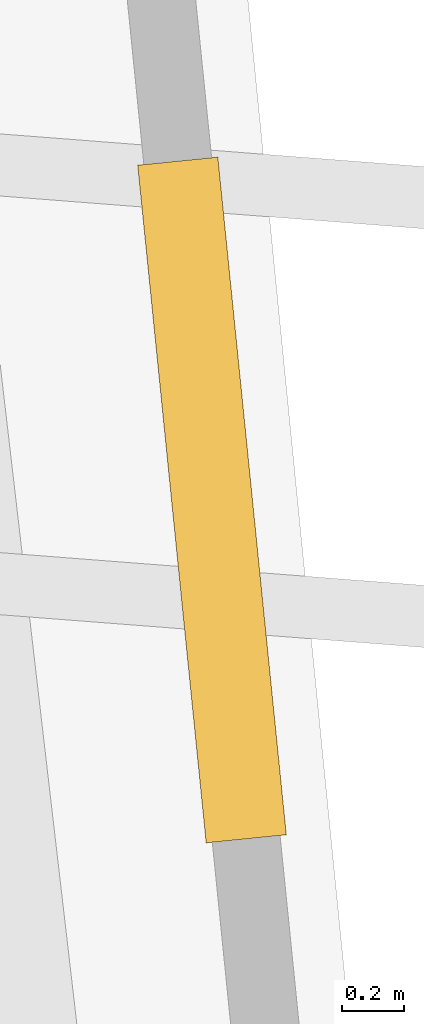
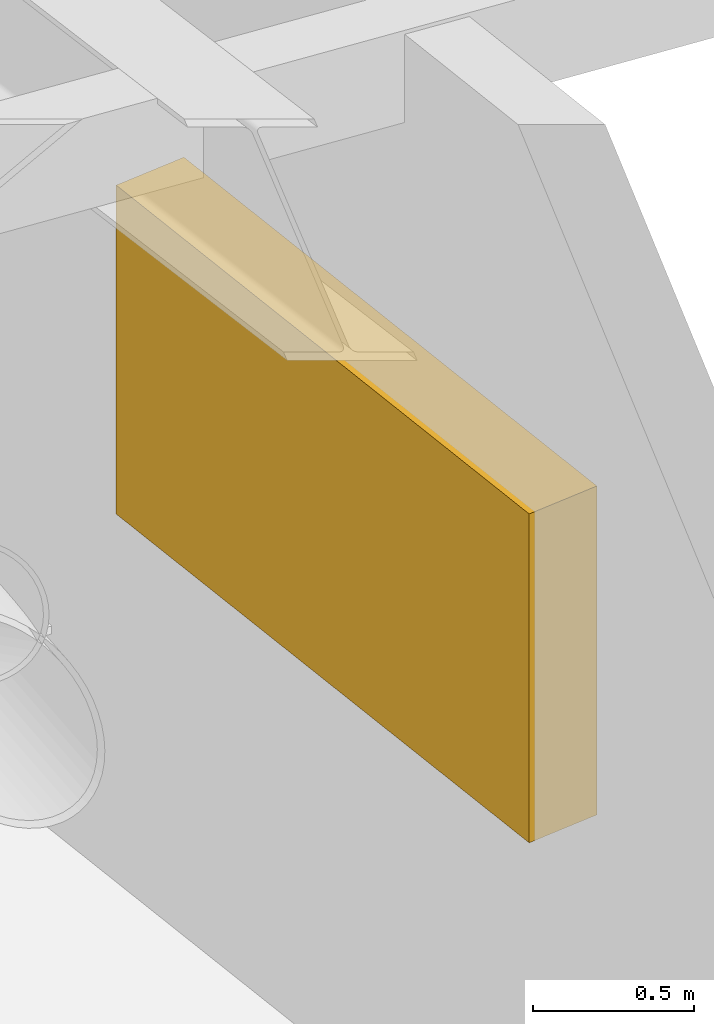
# One storey, part 14 of 14: 1 covering.
"""IFC4 building model written with IfcOpenShell, lengths in metres."""

from ifc_helpers import new_model, si_unit, direction, frame, origin, origin_2d, place, context, subcontext, project, spatial, rectangle, extrude, source, transform, mapped, material, type_object, element, save


model = new_model("IFC4")

# Units and contexts
model_context = context("Model", 3, precision=1e-05, world=origin(), true_north=direction((0.0, 1.0)))
body_context = subcontext(model_context, "Body", "Model", "MODEL_VIEW")
ifc_project = project(units=[si_unit("LENGTHUNIT", "METRE"), si_unit("AREAUNIT", "SQUARE_METRE"), si_unit("VOLUMEUNIT", "CUBIC_METRE"), si_unit("PLANEANGLEUNIT", "RADIAN"), si_unit("MASSUNIT", "GRAM", prefix="KILO")], contexts=[model_context])

# Site, building, storey
site_placement = place(None, origin())
site = spatial("IfcSite", under=ifc_project, at=site_placement, CompositionType="ELEMENT")
building_placement = place(site_placement, origin())
building = spatial("IfcBuilding", under=site, at=building_placement, Name="Cununo Teusaquillo Station Towers", CompositionType="ELEMENT")
storey_placement = place(building_placement, frame((0.0, 0.0, 192.340087890625)))
storey = spatial("IfcBuildingStorey", under=building, at=storey_placement, Name="L61", CompositionType="ELEMENT", Elevation=192.340087890625)

# Covering
ifc_material = material(Name="Anodised dark bronze aluminium EN AW-6063-T6", Category="aluminium")
covering_type = type_object("IfcCoveringType", Name="COV-LOUVRE-ACOUSTIC", PredefinedType="USERDEFINED", material=ifc_material)
shared_shape = source(origin(), body_context, "Body", "SweptSolid", [
    extrude(rectangle(XDim=2.199951171875, YDim=0.260009765625, at=origin_2d()), origin(), (0.0, 0.0, 1.0), 1.25),
])
covering_placement = place(storey_placement, frame((72.365234375, 22.999267578125, 1.42236328125), z_axis=(0.0, 0.0, 1.0), x_axis=(0.100535365033, -0.994933485404, 0.0)))
element("IfcCovering", 1, at=covering_placement, inside=storey, type_object=covering_type, Name="L61 Tower B Acoustic Plant Louvre C17", ObjectType="LOUVRE", PredefinedType="USERDEFINED", context=body_context, shape_type="MappedRepresentation", body=[
    mapped(shared_shape, transform((0.0, 0.0, 0.0), x_axis=(1.0, 0.0, 0.0), y_axis=(0.0, 1.0, 0.0), z_axis=(0.0, 0.0, 1.0), scale=1.0)),
])

save(model, "model.ifc")
